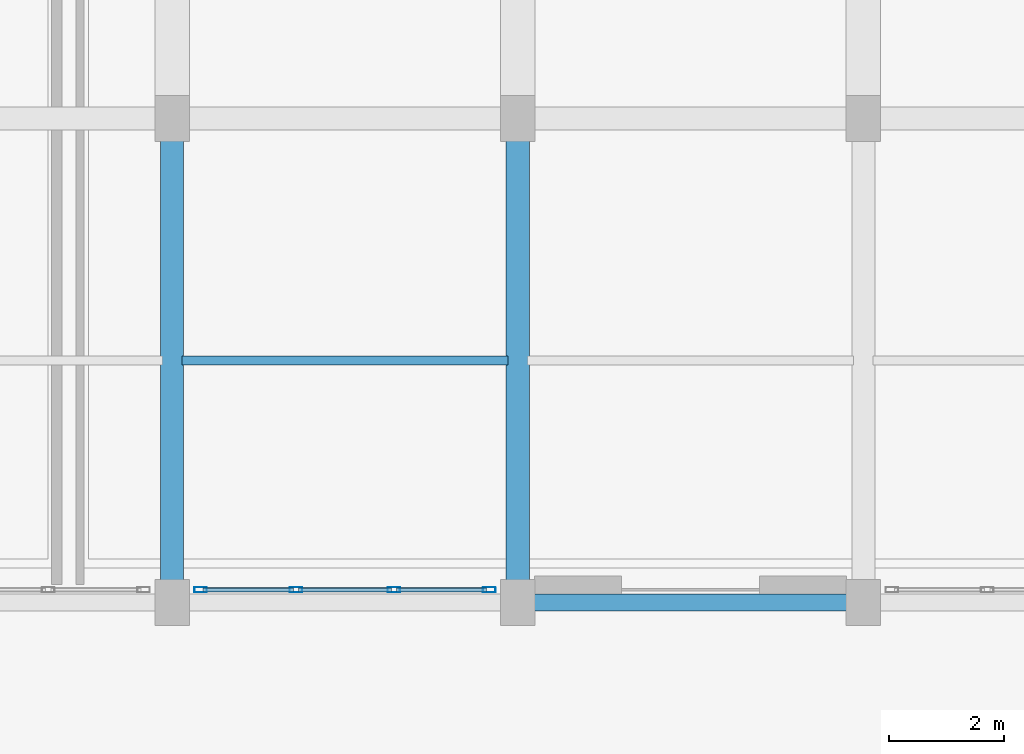
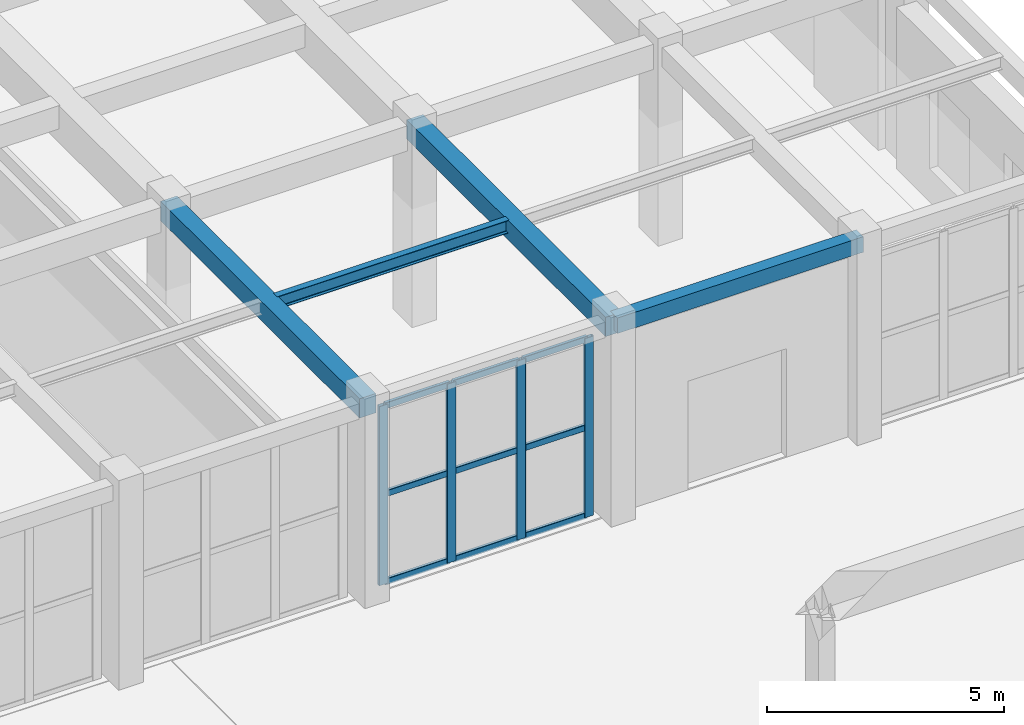
# One storey, part 49 of 98: 13 members, 4 beams, 1 element without a shape of its own.
"""IFC4 building model written with IfcOpenShell, lengths in metres."""

import ifcopenshell
import ifcopenshell.guid

model = None  # the IFC model being written
_history = None  # IfcOwnerHistory: only IFC2X3 demands one
_inside = {}  # id of a spatial element -> (the spatial element, [elements in it])
_under = {}  # id of a project, library or spatial element -> (it, [spatial elements below it])
_declared = {}  # id of a project -> (the project, [libraries it declares])
_typed = {}  # id of a type object -> (the type object, [elements of that type])
_made_of = {}  # id of a material, layer set ... -> (it, [elements and type objects made of it])


def new_model(schema):
    """Start an empty IFC model of exactly this schema.

    Asked for "IFC4X3", IfcOpenShell would pick the latest addendum, in which some entities
    have other attributes; the version numbers below select the first issue.
    IFC2X3 requires an IfcOwnerHistory on every rooted entity: one is made here for all.
    """
    global model, _history
    if schema == "IFC4X3":
        model = ifcopenshell.file(schema_version=(4, 3, 0, 0))
    else:
        model = ifcopenshell.file(schema=schema)
    _inside.clear()
    _under.clear()
    _declared.clear()
    _typed.clear()
    _made_of.clear()
    _history = None
    if model.schema == "IFC2X3":
        org = make("IfcOrganization", Name="unknown")
        user = make(
            "IfcPersonAndOrganization",
            ThePerson=make("IfcPerson", FamilyName="unknown"),
            TheOrganization=org,
        )
        app = make(
            "IfcApplication",
            ApplicationDeveloper=org,
            Version="unknown",
            ApplicationFullName="unknown",
            ApplicationIdentifier="unknown",
        )
        _history = make(
            "IfcOwnerHistory",
            OwningUser=user,
            OwningApplication=app,
            ChangeAction="ADDED",
            CreationDate=0,
        )
    return model


def make(cls, **values):
    """One entity of the class cls with the attributes given. An attribute that is None is left unset."""
    return model.create_entity(
        cls, **{name: value for name, value in values.items() if value is not None}
    )


def rooted(cls, **values):
    """An entity with a GlobalId (a new one), such as an element, a storey or a relation."""
    return make(cls, GlobalId=ifcopenshell.guid.new(), OwnerHistory=_history, **values)


def si_unit(unit_type, name, prefix=None):
    """IfcSIUnit, for example si_unit("LENGTHUNIT", "METRE", prefix="MILLI")."""
    return make("IfcSIUnit", UnitType=unit_type, Prefix=prefix, Name=name)


def assignment(units):
    """IfcUnitAssignment: the units of a project."""
    return None if units is None else make("IfcUnitAssignment", Units=units)


def point(xyz):
    """IfcCartesianPoint."""
    return None if xyz is None else make("IfcCartesianPoint", Coordinates=xyz)


def direction(xyz):
    """IfcDirection."""
    return None if xyz is None else make("IfcDirection", DirectionRatios=xyz)


def frame(location, z_axis=None, x_axis=None):
    """IfcAxis2Placement3D, a coordinate frame: its origin and axes. An axis left out is left unset."""
    return make(
        "IfcAxis2Placement3D",
        Location=point(location),
        Axis=direction(z_axis),
        RefDirection=direction(x_axis),
    )


def frame_2d(location, x_axis=None):
    """IfcAxis2Placement2D, a coordinate frame in the plane: its origin and x axis."""
    return make(
        "IfcAxis2Placement2D", Location=point(location), RefDirection=direction(x_axis)
    )


def origin():
    """The frame at (0, 0, 0) with its axes left unset."""
    return frame((0.0, 0.0, 0.0))


def origin_2d():
    """The frame at (0, 0) in the plane with its x axis left unset."""
    return frame_2d((0.0, 0.0))


def place(relative_to, where):
    """IfcLocalPlacement: puts the frame where relative to a parent placement (None: the world)."""
    return make(
        "IfcLocalPlacement", PlacementRelTo=relative_to, RelativePlacement=where
    )


def context(
    kind, dimensions, precision=None, world=None, true_north=None, identifier=None
):
    """IfcGeometricRepresentationContext, for example the 3D "Model" context."""
    return make(
        "IfcGeometricRepresentationContext",
        ContextIdentifier=identifier,
        ContextType=kind,
        CoordinateSpaceDimension=dimensions,
        Precision=precision,
        WorldCoordinateSystem=world,
        TrueNorth=true_north,
    )


def subcontext(parent, identifier, kind, view, scale=None):
    """IfcGeometricRepresentationSubContext, for example "Body" below "Model"."""
    return make(
        "IfcGeometricRepresentationSubContext",
        ContextIdentifier=identifier,
        ContextType=kind,
        ParentContext=parent,
        TargetScale=scale,
        TargetView=view,
    )


def project(units=None, contexts=None):
    """IfcProject with its units and contexts."""
    return rooted(
        "IfcProject",
        Name="project",
        RepresentationContexts=contexts,
        UnitsInContext=assignment(units),
    )


def spatial(cls, under=None, at=None, **own):
    """A site, building, storey or space (cls), placed at a placement, below another one or the project."""
    s = rooted(cls, ObjectPlacement=at, **own)
    if under is not None:
        _under.setdefault(under.id(), (under, []))[1].append(s)
    return s


def profile(cls, at=None, kind="AREA", **sizes):
    """A parametric profile (cls). Its sizes go by their IFC names, for example OverallWidth=200.0."""
    return make(cls, ProfileType=kind, Position=at, **sizes)


def rectangle(**sizes):
    """IfcRectangleProfileDef."""
    return profile("IfcRectangleProfileDef", **sizes)


def hollow_rectangle(**sizes):
    """IfcRectangleHollowProfileDef."""
    return profile("IfcRectangleHollowProfileDef", **sizes)


def i_section(**sizes):
    """IfcIShapeProfileDef."""
    return profile("IfcIShapeProfileDef", **sizes)


def extrude(swept, where, along, depth):
    """IfcExtrudedAreaSolid: the profile swept, set in the frame where, extruded along a direction by depth."""
    return make(
        "IfcExtrudedAreaSolid",
        SweptArea=swept,
        Position=where,
        ExtrudedDirection=direction(along),
        Depth=depth,
    )


def shape(context_of_items, identifier, shape_type, items):
    """IfcShapeRepresentation: the items that make up one representation, for example the "Body"."""
    return make(
        "IfcShapeRepresentation",
        ContextOfItems=context_of_items,
        RepresentationIdentifier=identifier,
        RepresentationType=shape_type,
        Items=items,
    )


def material(Name=None, Category=None):
    """IfcMaterial."""
    return make("IfcMaterial", Name=Name, Category=Category)


def layer(
    of_material, thickness, ventilated=None, Name=None, Category=None, Priority=None
):
    """IfcMaterialLayer: one layer of a wall or slab, of a material (None: an air gap)."""
    return make(
        "IfcMaterialLayer",
        Material=of_material,
        LayerThickness=thickness,
        IsVentilated=ventilated,
        Name=Name,
        Category=Category,
        Priority=Priority,
    )


def layer_set(layers, Name=None):
    """IfcMaterialLayerSet."""
    return make("IfcMaterialLayerSet", MaterialLayers=layers, LayerSetName=Name)


def material_profile(
    of_material, cross_section, Name=None, Category=None, Priority=None
):
    """IfcMaterialProfile: a cross section and its material."""
    return make(
        "IfcMaterialProfile",
        Name=Name,
        Material=of_material,
        Profile=cross_section,
        Priority=Priority,
        Category=Category,
    )


def profile_set(profiles, Name=None, composite=None):
    """IfcMaterialProfileSet."""
    return make(
        "IfcMaterialProfileSet",
        Name=Name,
        MaterialProfiles=profiles,
        CompositeProfile=composite,
    )


def made_of(thing, what):
    """Note that an element or type object is made of a material, layer set ...; save() writes the relation."""
    if what is not None:
        _made_of.setdefault(what.id(), (what, []))[1].append(thing)
    return thing


def type_object(cls, material=None, **own):
    """A type object (cls), such as IfcWallType, which elements share."""
    return made_of(rooted(cls, **own), material)


def element(
    cls,
    number,
    at=None,
    inside=None,
    cuts=None,
    type_object=None,
    material=None,
    context=None,
    identifier="Body",
    shape_type=None,
    held_by="IfcProductDefinitionShape",
    body=None,
    shapes=None,
    **own,
):
    """One element of the class cls, such as IfcWall. Its Tag is "e" and its number.

    at: its placement. inside: the storey or other place that contains it. cuts: it is an
    opening in that element (IfcRelVoidsElement). A single representation is given by context,
    identifier, shape_type and body (its items); several are given by shapes. held_by: the class
    of the entity that holds the representations. save() writes the other relations.
    """
    e = rooted(cls, Tag="e%d" % number, ObjectPlacement=at, **own)
    if body is not None:
        shapes = [shape(context, identifier, shape_type, body)]
    if shapes is not None:
        e.Representation = make(held_by, Representations=shapes)
    if inside is not None:
        _inside.setdefault(inside.id(), (inside, []))[1].append(e)
    if cuts is not None:
        rooted(
            "IfcRelVoidsElement", RelatingBuildingElement=cuts, RelatedOpeningElement=e
        )
    if type_object is not None:
        _typed.setdefault(type_object.id(), (type_object, []))[1].append(e)
    return made_of(e, material)


def aggregate(whole, parts):
    """IfcRelAggregates: a whole, such as a stair, and the parts it consists of."""
    return rooted("IfcRelAggregates", RelatingObject=whole, RelatedObjects=parts)


def save(model, path):
    """Write the relations noted so far, then the file.

    IfcRelAggregates (storeys below a building ...), IfcRelContainedInSpatialStructure (elements
    in a storey), IfcRelDefinesByType, IfcRelAssociatesMaterial and IfcRelDeclares: one each for
    every whole, place, type object, material and project.
    """
    for whole, parts in _under.values():
        aggregate(whole, parts)
    for where, things in _inside.values():
        rooted(
            "IfcRelContainedInSpatialStructure",
            RelatedElements=things,
            RelatingStructure=where,
        )
    for kind, things in _typed.values():
        rooted("IfcRelDefinesByType", RelatedObjects=things, RelatingType=kind)
    for what, things in _made_of.values():
        rooted("IfcRelAssociatesMaterial", RelatedObjects=things, RelatingMaterial=what)
    for by, libraries in _declared.values():
        rooted("IfcRelDeclares", RelatingContext=by, RelatedDefinitions=libraries)
    model.write(path)


model = new_model("IFC4")

# Units and contexts
model_context = context("Model", 3, precision=1e-05, world=origin(), true_north=direction((0.0, 1.0)))
body_context = subcontext(model_context, "Body", "Model", "MODEL_VIEW")
ifc_project = project(units=[si_unit("LENGTHUNIT", "METRE"), si_unit("AREAUNIT", "SQUARE_METRE"), si_unit("VOLUMEUNIT", "CUBIC_METRE"), si_unit("PLANEANGLEUNIT", "RADIAN"), si_unit("MASSUNIT", "GRAM", prefix="KILO")], contexts=[model_context])

# Site, building, storey
site_placement = place(None, origin())
site = spatial("IfcSite", under=ifc_project, at=site_placement, CompositionType="ELEMENT")
building_placement = place(site_placement, origin())
building = spatial("IfcBuilding", under=site, at=building_placement, Name="Tarnavel Promenade Courthouse", CompositionType="ELEMENT")
storey_placement = place(building_placement, origin())
storey = spatial("IfcBuildingStorey", under=building, at=storey_placement, Name="L01", CompositionType="ELEMENT", Elevation=0.0)

# Beams
ifc_material_1 = material(Name="Concrete C40/50", Category="concrete")
ifc_material_profile_1 = material_profile(ifc_material_1, rectangle(XDim=0.39990234375, YDim=0.5, at=origin_2d()), Name="RC 400x500")
ifc_profile_set_1 = profile_set([ifc_material_profile_1], Name="Concrete C40/50")
beam_type_1 = type_object("IfcBeamType", Name="Concrete C40/50 BM-RC-400x500 (RC 400x500)", PredefinedType="BEAM", material=ifc_profile_set_1)
for number, where, z_axis, x_axis, name in (
    (1, (144.0, 28.800048828125, 4.885009765625), (0.0, 1.0, 0.0), (-1.0, 0.0, 0.0), "L01 Transverse Girder 0863"),
    (2, (150.0, 28.800048828125, 4.885009765625), (0.0, 1.0, 0.0), (-1.0, 0.0, 0.0), "L01 Transverse Girder 0873"),
):
    element("IfcBeam", number, at=place(storey_placement, frame(where, z_axis=z_axis, x_axis=x_axis)), inside=storey, type_object=beam_type_1, Name=name, PredefinedType="BEAM", context=body_context, shape_type="SweptSolid", body=[
        extrude(rectangle(XDim=0.39990234375, YDim=0.5, at=origin_2d()), origin(), (0.0, 0.0, 1.0), 8.39990234375),
    ])
ifc_material_profile_2 = material_profile(ifc_material_1, rectangle(XDim=0.300048828125, YDim=0.39990234375, at=origin_2d()), Name="RC 300x400")
ifc_profile_set_2 = profile_set([ifc_material_profile_2], Name="Concrete C40/50")
beam_type_2 = type_object("IfcBeamType", Name="Concrete C40/50 BM-SP-300x400 (RC 300x400)", PredefinedType="SPANDREL", material=ifc_profile_set_2)
beam_1_placement = place(storey_placement, frame((150.0, 28.800048828125, 4.93505859375), z_axis=(1.0, 0.0, 0.0), x_axis=(0.0, 1.0, 0.0)))
element("IfcBeam", 3, at=beam_1_placement, inside=storey, type_object=beam_type_2, Name="L01 Primary Longitudinal Beam 0596", PredefinedType="SPANDREL", context=body_context, shape_type="SweptSolid", body=[
    extrude(rectangle(XDim=0.300048828125, YDim=0.39990234375, at=origin_2d()), origin(), (0.0, 0.0, 1.0), 6.0),
])
ifc_material_2 = material(Name="Steel S355J2", Category="steel")
ifc_material_profile_3 = material_profile(ifc_material_2, i_section(OverallWidth=0.159912109375, OverallDepth=0.330078125, WebThickness=0.007568359375, FlangeThickness=0.011474609375, FilletRadius=0.01806640625, at=origin_2d()), Name="IPE 330")
ifc_profile_set_3 = profile_set([ifc_material_profile_3], Name="Steel S355J2")
beam_type_3 = type_object("IfcBeamType", Name="Steel S355J2 BM-ST-IPE330 (IPE 330)", PredefinedType="JOIST", material=ifc_profile_set_3)
beam_2_placement = place(storey_placement, frame((144.169921875, 33.0, 4.969970703125), z_axis=(1.0, 0.0, 0.0), x_axis=(0.0, 1.0, 0.0)))
element("IfcBeam", 4, at=beam_2_placement, inside=storey, type_object=beam_type_3, Name="L01 Secondary Floor Rib 0910", PredefinedType="JOIST", context=body_context, shape_type="SweptSolid", body=[
    extrude(i_section(OverallWidth=0.159912109375, OverallDepth=0.330078125, WebThickness=0.007568359375, FlangeThickness=0.011474609375, FilletRadius=0.01806640625, at=origin_2d()), origin(), (0.0, 0.0, 1.0), 5.66015625),
])

# Curtain wall, members
ifc_material_3 = material(Name="Thermally Broken Anodised Aluminium Curtain Wall System", Category="aluminium")
ifc_layer = layer(ifc_material_3, 0.199951171875)
ifc_layer_set = layer_set([ifc_layer], Name="Thermally Broken Anodised Aluminium Curtain Wall System")
curtain_wall_type = type_object("IfcCurtainWallType", Name="Thermally Broken Aluminium Triple-Glazed Curtain Wall CW-FOYER", PredefinedType="NOTDEFINED", material=ifc_layer_set)
curtain_wall_placement = place(storey_placement, origin())
curtain_wall = element("IfcCurtainWall", 5, at=curtain_wall_placement, inside=storey, type_object=curtain_wall_type, Name="L01 Ceremonial Cloister Curtain Wall 162", PredefinedType="NOTDEFINED")
ifc_material_4 = material(Name="Thermally Broken Anodised Aluminium Frame", Category="aluminium")
ifc_material_profile_4 = material_profile(ifc_material_4, hollow_rectangle(XDim=0.090087890625, YDim=0.219970703125, WallThickness=0.0048828125, InnerFilletRadius=0.0048828125, OuterFilletRadius=0.010009765625, at=origin_2d()), Name="CWM 220x90x5")
ifc_profile_set_4 = profile_set([ifc_material_profile_4], Name="Thermally Broken Anodised Aluminium Frame")
member_type_1 = type_object("IfcMemberType", Name="Thermally Broken Anodised Aluminium CWM-175 (CWM 220x90x5)", PredefinedType="MULLION", material=ifc_profile_set_4)
member_1_placement = place(storey_placement, frame((144.4951171875, 29.02001953125, 0.0), z_axis=(0.0, 0.0, 1.0), x_axis=(0.0, 1.0, 0.0)))
member_1 = element("IfcMember", 6, at=member_1_placement, type_object=member_type_1, Name="CW-04 mullion 1", PredefinedType="MULLION", context=body_context, shape_type="SweptSolid", body=[
    extrude(hollow_rectangle(XDim=0.090087890625, YDim=0.219970703125, WallThickness=0.0048828125, InnerFilletRadius=0.0048828125, OuterFilletRadius=0.010009765625, at=origin_2d()), origin(), (0.0, 0.0, 1.0), 4.6201171875),
])
member_2_placement = place(storey_placement, frame((146.14990234375, 29.02001953125, 0.0), z_axis=(0.0, 0.0, 1.0), x_axis=(0.0, 1.0, 0.0)))
member_2 = element("IfcMember", 7, at=member_2_placement, type_object=member_type_1, Name="CW-04 mullion 2", PredefinedType="MULLION", context=body_context, shape_type="SweptSolid", body=[
    extrude(hollow_rectangle(XDim=0.090087890625, YDim=0.219970703125, WallThickness=0.0048828125, InnerFilletRadius=0.0048828125, OuterFilletRadius=0.010009765625, at=origin_2d()), origin(), (0.0, 0.0, 1.0), 4.6201171875),
])
member_3_placement = place(storey_placement, frame((147.85009765625, 29.02001953125, 0.0), z_axis=(0.0, 0.0, 1.0), x_axis=(0.0, 1.0, 0.0)))
member_3 = element("IfcMember", 8, at=member_3_placement, type_object=member_type_1, Name="CW-04 mullion 3", PredefinedType="MULLION", context=body_context, shape_type="SweptSolid", body=[
    extrude(hollow_rectangle(XDim=0.090087890625, YDim=0.219970703125, WallThickness=0.0048828125, InnerFilletRadius=0.0048828125, OuterFilletRadius=0.010009765625, at=origin_2d()), origin(), (0.0, 0.0, 1.0), 4.6201171875),
])
member_4_placement = place(storey_placement, frame((149.5048828125, 29.02001953125, 0.0), z_axis=(0.0, 0.0, 1.0), x_axis=(0.0, 1.0, 0.0)))
member_4 = element("IfcMember", 9, at=member_4_placement, type_object=member_type_1, Name="CW-04 mullion 4", PredefinedType="MULLION", context=body_context, shape_type="SweptSolid", body=[
    extrude(hollow_rectangle(XDim=0.090087890625, YDim=0.219970703125, WallThickness=0.0048828125, InnerFilletRadius=0.0048828125, OuterFilletRadius=0.010009765625, at=origin_2d()), origin(), (0.0, 0.0, 1.0), 4.6201171875),
])
ifc_material_profile_5 = material_profile(ifc_material_4, hollow_rectangle(XDim=0.080078125, YDim=0.159912109375, WallThickness=0.0048828125, InnerFilletRadius=0.0048828125, OuterFilletRadius=0.010009765625, at=origin_2d()), Name="CWT 160x80x5")
ifc_profile_set_5 = profile_set([ifc_material_profile_5], Name="Thermally Broken Anodised Aluminium Frame")
member_type_2 = type_object("IfcMemberType", Name="Thermally Broken Anodised Aluminium CWT-145 (CWT 160x80x5)", PredefinedType="USERDEFINED", material=ifc_profile_set_5)
member_5_placement = place(storey_placement, frame((144.5400390625, 29.02001953125, 0.0400390625), z_axis=(1.0, 0.0, 0.0), x_axis=(0.0, 1.0, 0.0)))
member_5 = element("IfcMember", 10, at=member_5_placement, type_object=member_type_2, Name="CW-04 transom 1.1", ObjectType="TRANSOM", PredefinedType="USERDEFINED", context=body_context, shape_type="SweptSolid", body=[
    extrude(hollow_rectangle(XDim=0.080078125, YDim=0.159912109375, WallThickness=0.0048828125, InnerFilletRadius=0.0048828125, OuterFilletRadius=0.010009765625, at=origin_2d()), origin(), (0.0, 0.0, 1.0), 1.56494140625),
])
member_6_placement = place(storey_placement, frame((144.5400390625, 29.02001953125, 2.31005859375), z_axis=(1.0, 0.0, 0.0), x_axis=(0.0, 1.0, 0.0)))
member_6 = element("IfcMember", 11, at=member_6_placement, type_object=member_type_2, Name="CW-04 transom 1.2", ObjectType="TRANSOM", PredefinedType="USERDEFINED", context=body_context, shape_type="SweptSolid", body=[
    extrude(hollow_rectangle(XDim=0.080078125, YDim=0.159912109375, WallThickness=0.0048828125, InnerFilletRadius=0.0048828125, OuterFilletRadius=0.010009765625, at=origin_2d()), origin(), (0.0, 0.0, 1.0), 1.56494140625),
])
member_7_placement = place(storey_placement, frame((144.5400390625, 29.02001953125, 4.580078125), z_axis=(1.0, 0.0, 0.0), x_axis=(0.0, 1.0, 0.0)))
member_7 = element("IfcMember", 12, at=member_7_placement, type_object=member_type_2, Name="CW-04 transom 1.3", ObjectType="TRANSOM", PredefinedType="USERDEFINED", context=body_context, shape_type="SweptSolid", body=[
    extrude(hollow_rectangle(XDim=0.080078125, YDim=0.159912109375, WallThickness=0.0048828125, InnerFilletRadius=0.0048828125, OuterFilletRadius=0.010009765625, at=origin_2d()), origin(), (0.0, 0.0, 1.0), 1.56494140625),
])
member_8_placement = place(storey_placement, frame((146.195068359375, 29.02001953125, 0.0400390625), z_axis=(1.0, 0.0, 0.0), x_axis=(0.0, 1.0, 0.0)))
member_8 = element("IfcMember", 13, at=member_8_placement, type_object=member_type_2, Name="CW-04 transom 2.1", ObjectType="TRANSOM", PredefinedType="USERDEFINED", context=body_context, shape_type="SweptSolid", body=[
    extrude(hollow_rectangle(XDim=0.080078125, YDim=0.159912109375, WallThickness=0.0048828125, InnerFilletRadius=0.0048828125, OuterFilletRadius=0.010009765625, at=origin_2d()), origin(), (0.0, 0.0, 1.0), 1.60986328125),
])
member_9_placement = place(storey_placement, frame((146.195068359375, 29.02001953125, 2.31005859375), z_axis=(1.0, 0.0, 0.0), x_axis=(0.0, 1.0, 0.0)))
member_9 = element("IfcMember", 14, at=member_9_placement, type_object=member_type_2, Name="CW-04 transom 2.2", ObjectType="TRANSOM", PredefinedType="USERDEFINED", context=body_context, shape_type="SweptSolid", body=[
    extrude(hollow_rectangle(XDim=0.080078125, YDim=0.159912109375, WallThickness=0.0048828125, InnerFilletRadius=0.0048828125, OuterFilletRadius=0.010009765625, at=origin_2d()), origin(), (0.0, 0.0, 1.0), 1.60986328125),
])
member_10_placement = place(storey_placement, frame((146.195068359375, 29.02001953125, 4.580078125), z_axis=(1.0, 0.0, 0.0), x_axis=(0.0, 1.0, 0.0)))
member_10 = element("IfcMember", 15, at=member_10_placement, type_object=member_type_2, Name="CW-04 transom 2.3", ObjectType="TRANSOM", PredefinedType="USERDEFINED", context=body_context, shape_type="SweptSolid", body=[
    extrude(hollow_rectangle(XDim=0.080078125, YDim=0.159912109375, WallThickness=0.0048828125, InnerFilletRadius=0.0048828125, OuterFilletRadius=0.010009765625, at=origin_2d()), origin(), (0.0, 0.0, 1.0), 1.60986328125),
])
member_11_placement = place(storey_placement, frame((147.89501953125, 29.02001953125, 0.0400390625), z_axis=(1.0, 0.0, 0.0), x_axis=(0.0, 1.0, 0.0)))
member_11 = element("IfcMember", 16, at=member_11_placement, type_object=member_type_2, Name="CW-04 transom 3.1", ObjectType="TRANSOM", PredefinedType="USERDEFINED", context=body_context, shape_type="SweptSolid", body=[
    extrude(hollow_rectangle(XDim=0.080078125, YDim=0.159912109375, WallThickness=0.0048828125, InnerFilletRadius=0.0048828125, OuterFilletRadius=0.010009765625, at=origin_2d()), origin(), (0.0, 0.0, 1.0), 1.56494140625),
])
member_12_placement = place(storey_placement, frame((147.89501953125, 29.02001953125, 2.31005859375), z_axis=(1.0, 0.0, 0.0), x_axis=(0.0, 1.0, 0.0)))
member_12 = element("IfcMember", 17, at=member_12_placement, type_object=member_type_2, Name="CW-04 transom 3.2", ObjectType="TRANSOM", PredefinedType="USERDEFINED", context=body_context, shape_type="SweptSolid", body=[
    extrude(hollow_rectangle(XDim=0.080078125, YDim=0.159912109375, WallThickness=0.0048828125, InnerFilletRadius=0.0048828125, OuterFilletRadius=0.010009765625, at=origin_2d()), origin(), (0.0, 0.0, 1.0), 1.56494140625),
])
member_13_placement = place(storey_placement, frame((147.89501953125, 29.02001953125, 4.580078125), z_axis=(1.0, 0.0, 0.0), x_axis=(0.0, 1.0, 0.0)))
member_13 = element("IfcMember", 18, at=member_13_placement, type_object=member_type_2, Name="CW-04 transom 3.3", ObjectType="TRANSOM", PredefinedType="USERDEFINED", context=body_context, shape_type="SweptSolid", body=[
    extrude(hollow_rectangle(XDim=0.080078125, YDim=0.159912109375, WallThickness=0.0048828125, InnerFilletRadius=0.0048828125, OuterFilletRadius=0.010009765625, at=origin_2d()), origin(), (0.0, 0.0, 1.0), 1.56494140625),
])
aggregate(curtain_wall, [member_1, member_2, member_3, member_4, member_5, member_6, member_7, member_8, member_9, member_10, member_11, member_12, member_13])

save(model, "model.ifc")
